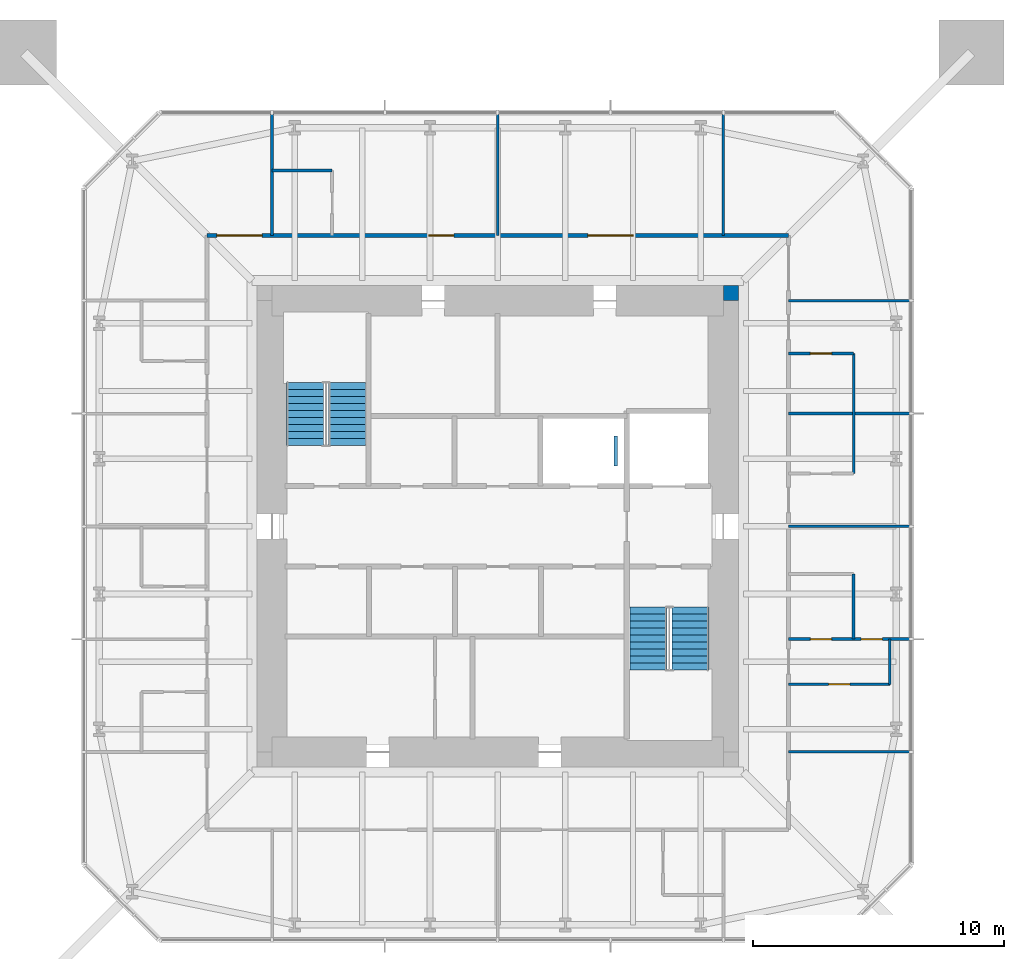
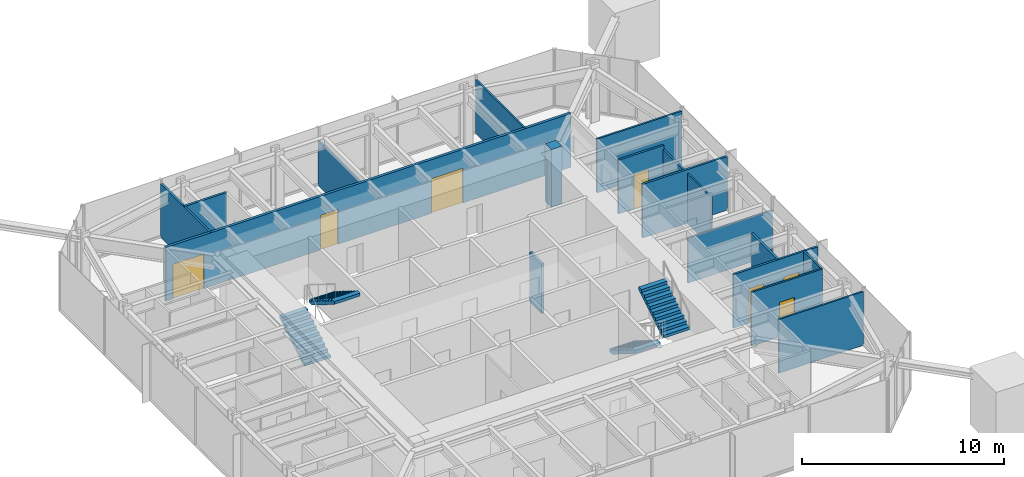
# One storey, part 8 of 9: 16 walls, 7 doors, 4 stair flights, 1 discrete accessory, 7 openings, 2 elements without a shape of their own.
"""IFC4 building model written with IfcOpenShell, lengths in metres."""

from ifc_helpers import new_model, si_unit, direction, frame, frame_2d, origin, origin_2d, place, context, subcontext, project, spatial, polyline, rectangle, outline, extrude, material, layer, layer_set, constituent, constituent_set, type_object, element, fill, aggregate, save


model = new_model("IFC4")

# Units and contexts
model_context = context("Model", 3, precision=1e-05, world=origin(), true_north=direction((0.0, 1.0)))
body_context = subcontext(model_context, "Body", "Model", "MODEL_VIEW")
ifc_project = project(units=[si_unit("LENGTHUNIT", "METRE"), si_unit("AREAUNIT", "SQUARE_METRE"), si_unit("VOLUMEUNIT", "CUBIC_METRE"), si_unit("PLANEANGLEUNIT", "RADIAN"), si_unit("MASSUNIT", "GRAM", prefix="KILO")], contexts=[model_context])

# Site, building, storey
site_placement = place(None, origin())
site = spatial("IfcSite", under=ifc_project, at=site_placement, CompositionType="ELEMENT")
building_placement = place(site_placement, origin())
building = spatial("IfcBuilding", under=site, at=building_placement, Name="Iwan Alto Co-Living Towers", CompositionType="ELEMENT")
storey_placement = place(building_placement, frame((0.0, 0.0, 264.0)))
storey = spatial("IfcBuildingStorey", under=building, at=storey_placement, Name="L72", CompositionType="ELEMENT", Elevation=264.0)

# Wall, openings, doors
ifc_material_1 = material(Name="Gypsum board")
ifc_layer_1 = layer(ifc_material_1, 0.02490234375, Name="Board", Category="Finish")
ifc_material_2 = material(Name="Steel ASTM A1003 ST33H cold-formed studs", Category="steel")
ifc_layer_2 = layer(ifc_material_2, 0.10009765625, Name="Studs", Category="Framing")
ifc_layer_3 = layer(ifc_material_1, 0.02490234375, Name="Board", Category="Finish")
ifc_layer_set_1 = layer_set([ifc_layer_1, ifc_layer_2, ifc_layer_3], Name="CORRIDOR WALL 150")
wall_type_1 = type_object("IfcWallType", Name="CORRIDOR WALL 150", PredefinedType="PARTITIONING", material=ifc_layer_set_1)
wall_1_placement = place(storey_placement, frame((-11.60009765625, 11.60009765625, 0.0), z_axis=(0.0, 0.0, 1.0), x_axis=(1.0, 0.0, 0.0)))
wall_1 = element("IfcWall", 1, at=wall_1_placement, inside=storey, type_object=wall_type_1, Name="Partition L72", PredefinedType="PARTITIONING", context=body_context, shape_type="SweptSolid", body=[
    extrude(rectangle(XDim=23.2001953125, YDim=0.14990234375, at=frame_2d((11.60009765625, 0.0))), origin(), (0.0, 0.0, 1.0), 3.25),
])
opening_1_placement = place(wall_1_placement, frame((15.199951171875, 0.0, 0.0)))
opening_1 = element("IfcOpeningElement", 2, at=opening_1_placement, cuts=wall_1, Name="Opening D9", PredefinedType="OPENING", context=body_context, shape_type="SweptSolid", body=[
    extrude(rectangle(XDim=1.800048828125, YDim=2.10009765625, at=frame_2d((0.89990234375, 1.050048828125))), frame((0.0, 0.0849609375, 0.0), z_axis=(0.0, -1.0, 0.0), x_axis=(1.0, 0.0, 0.0)), (0.0, 0.0, 1.0), 0.169921875),
])
opening_2_placement = place(wall_1_placement, frame((8.85009765625, 0.0, 0.0)))
opening_2 = element("IfcOpeningElement", 3, at=opening_2_placement, cuts=wall_1, Name="Opening D3", PredefinedType="OPENING", context=body_context, shape_type="SweptSolid", body=[
    extrude(rectangle(XDim=1.0, YDim=2.10009765625, at=frame_2d((0.5, 1.050048828125))), frame((0.0, 0.0849609375, 0.0), z_axis=(0.0, -1.0, 0.0), x_axis=(1.0, 0.0, 0.0)), (0.0, 0.0, 1.0), 0.169921875),
])
opening_3_placement = place(wall_1_placement, frame((0.39990234375, 0.0, 0.0)))
opening_3 = element("IfcOpeningElement", 4, at=opening_3_placement, cuts=wall_1, Name="Opening D9", PredefinedType="OPENING", context=body_context, shape_type="SweptSolid", body=[
    extrude(rectangle(XDim=1.800048828125, YDim=2.10009765625, at=frame_2d((0.89990234375, 1.050048828125))), frame((0.0, 0.0849609375, 0.0), z_axis=(0.0, -1.0, 0.0), x_axis=(1.0, 0.0, 0.0)), (0.0, 0.0, 1.0), 0.169921875),
])
ifc_material_3 = material(Name="Steel frame with timber leaf", Category="steel")
door_type_1 = type_object("IfcDoorType", Name="FLAT ENTRANCE DOOR FD30S 1000X2100", OperationType="SINGLE_SWING_LEFT", PredefinedType="DOOR", material=ifc_material_3)
door_1_placement = place(opening_2_placement, origin())
door_1 = element("IfcDoor", 5, at=door_1_placement, inside=storey, type_object=door_type_1, Name="Studio door L72", OperationType="SINGLE_SWING_RIGHT", OverallHeight=2.10009765625, OverallWidth=1.0, PredefinedType="DOOR", context=body_context, shape_type="SweptSolid", body=[
    extrude(rectangle(XDim=1.0, YDim=2.10009765625, at=frame_2d((0.5, 1.050048828125))), frame((0.0, 0.02490234375, 0.0), z_axis=(0.0, -1.0, 0.0), x_axis=(1.0, 0.0, 0.0)), (0.0, 0.0, 1.0), 0.050048828125),
])
fill(opening_2, door_1)
ifc_material_4 = material(Name="Steel frame with timber leaf", Category="steel")
door_type_2 = type_object("IfcDoorType", Name="LOUNGE DOOR FD30S 1800X2100", OperationType="DOUBLE_DOOR_SINGLE_SWING", PredefinedType="DOOR", material=ifc_material_4)
door_2_placement = place(opening_1_placement, origin())
door_2 = element("IfcDoor", 6, at=door_2_placement, inside=storey, type_object=door_type_2, Name="Club library door L72", OperationType="DOUBLE_DOOR_SINGLE_SWING", OverallHeight=2.10009765625, OverallWidth=1.800048828125, PredefinedType="DOOR", context=body_context, shape_type="SweptSolid", body=[
    extrude(rectangle(XDim=1.800048828125, YDim=2.10009765625, at=frame_2d((0.89990234375, 1.050048828125))), frame((0.0, 0.02490234375, 0.0), z_axis=(0.0, -1.0, 0.0), x_axis=(1.0, 0.0, 0.0)), (0.0, 0.0, 1.0), 0.050048828125),
])
fill(opening_1, door_2)
door_3_placement = place(opening_3_placement, origin())
door_3 = element("IfcDoor", 7, at=door_3_placement, inside=storey, type_object=door_type_2, Name="Courtyard lounge door L72", OperationType="DOUBLE_DOOR_SINGLE_SWING", OverallHeight=2.10009765625, OverallWidth=1.800048828125, PredefinedType="DOOR", context=body_context, shape_type="SweptSolid", body=[
    extrude(rectangle(XDim=1.800048828125, YDim=2.10009765625, at=frame_2d((0.89990234375, 1.050048828125))), frame((0.0, 0.02490234375, 0.0), z_axis=(0.0, -1.0, 0.0), x_axis=(1.0, 0.0, 0.0)), (0.0, 0.0, 1.0), 0.050048828125),
])
fill(opening_3, door_3)

# Wall
ifc_layer_4 = layer(ifc_material_1, 0.012451171875, Name="Board", Category="Finish")
ifc_layer_5 = layer(ifc_material_2, 0.074951171875, Name="Studs", Category="Framing")
ifc_layer_6 = layer(ifc_material_1, 0.012451171875, Name="Board", Category="Finish")
ifc_layer_set_2 = layer_set([ifc_layer_4, ifc_layer_5, ifc_layer_6], Name="PARTITION 100")
wall_type_2 = type_object("IfcWallType", Name="PARTITION 100", PredefinedType="PARTITIONING", material=ifc_layer_set_2)
wall_2_placement = place(storey_placement, frame((11.60009765625, -9.0, 0.0), z_axis=(0.0, 0.0, 1.0), x_axis=(1.0, 0.0, 0.0)))
element("IfcWall", 8, at=wall_2_placement, inside=storey, type_object=wall_type_2, Name="Partition L72", PredefinedType="PARTITIONING", context=body_context, shape_type="SweptSolid", body=[
    extrude(rectangle(XDim=4.83984375, YDim=0.10009765625, at=frame_2d((2.419921875, 0.0))), origin(), (0.0, 0.0, 1.0), 3.25),
])

# Wall, opening, door
wall_3_placement = place(storey_placement, frame((11.60009765625, -6.300048828125, 0.0), z_axis=(0.0, 0.0, 1.0), x_axis=(1.0, 0.0, 0.0)))
wall_3 = element("IfcWall", 9, at=wall_3_placement, inside=storey, type_object=wall_type_2, Name="Partition L72", PredefinedType="PARTITIONING", context=body_context, shape_type="SweptSolid", body=[
    extrude(rectangle(XDim=4.0498046875, YDim=0.10009765625, at=frame_2d((2.02490234375, 0.0))), origin(), (0.0, 0.0, 1.0), 3.25),
])
opening_4_placement = place(wall_3_placement, frame((1.60009765625, 0.0, 0.0)))
opening_4 = element("IfcOpeningElement", 10, at=opening_4_placement, cuts=wall_3, Name="Opening D2", PredefinedType="OPENING", context=body_context, shape_type="SweptSolid", body=[
    extrude(rectangle(XDim=0.85009765625, YDim=2.10009765625, at=frame_2d((0.425048828125, 1.050048828125))), frame((0.0, 0.06005859375, 0.0), z_axis=(0.0, -1.0, 0.0), x_axis=(1.0, 0.0, 0.0)), (0.0, 0.0, 1.0), 0.1201171875),
])
ifc_material_5 = material(Name="Timber leaf in steel frame", Category="steel")
door_type_3 = type_object("IfcDoorType", Name="ROOM DOOR 850X2100", OperationType="SINGLE_SWING_LEFT", PredefinedType="DOOR", material=ifc_material_5)
door_4_placement = place(opening_4_placement, frame((0.85009765625, 0.0, 0.0), z_axis=(0.0, 0.0, 1.0), x_axis=(-1.0, 0.0, 0.0)))
door_4 = element("IfcDoor", 11, at=door_4_placement, inside=storey, type_object=door_type_3, Name="Apartment foyer door L72", OperationType="SINGLE_SWING_RIGHT", OverallHeight=2.10009765625, OverallWidth=0.85009765625, PredefinedType="DOOR", context=body_context, shape_type="SweptSolid", body=[
    extrude(rectangle(XDim=0.85009765625, YDim=2.10009765625, at=frame_2d((0.425048828125, 1.050048828125))), frame((0.0, 0.02490234375, 0.0), z_axis=(0.0, -1.0, 0.0), x_axis=(1.0, 0.0, 0.0)), (0.0, 0.0, 1.0), 0.050048828125),
])
fill(opening_4, door_4)

# Walls
wall_4_placement = place(storey_placement, frame((11.60009765625, 0.0, 0.0), z_axis=(0.0, 0.0, 1.0), x_axis=(1.0, 0.0, 0.0)))
element("IfcWall", 12, at=wall_4_placement, inside=storey, type_object=wall_type_2, Name="Partition L72", PredefinedType="PARTITIONING", context=body_context, shape_type="SweptSolid", body=[
    extrude(rectangle(XDim=4.83984375, YDim=0.10009765625, at=frame_2d((2.419921875, 0.0))), origin(), (0.0, 0.0, 1.0), 2.716552734375),
])
wall_5_placement = place(storey_placement, frame((11.60009765625, 9.0, 0.0), z_axis=(0.0, 0.0, 1.0), x_axis=(1.0, 0.0, 0.0)))
element("IfcWall", 13, at=wall_5_placement, inside=storey, type_object=wall_type_2, Name="Partition L72", PredefinedType="PARTITIONING", context=body_context, shape_type="SweptSolid", body=[
    extrude(rectangle(XDim=4.83984375, YDim=0.10009765625, at=frame_2d((2.419921875, 0.0))), origin(), (0.0, 0.0, 1.0), 3.25),
])
wall_6_placement = place(storey_placement, frame((15.64990234375, -6.300048828125, 0.0), z_axis=(0.0, 0.0, 1.0), x_axis=(0.0, 1.0, 0.0)))
element("IfcWall", 14, at=wall_6_placement, inside=storey, type_object=wall_type_2, Name="Partition L72", PredefinedType="PARTITIONING", context=body_context, shape_type="SweptSolid", body=[
    extrude(rectangle(XDim=1.800048828125, YDim=0.10009765625, at=frame_2d((0.89990234375, 0.0))), origin(), (0.0, 0.0, 1.0), 3.25),
])
wall_7_placement = place(storey_placement, frame((14.199951171875, 2.10009765625, 0.0), z_axis=(0.0, 0.0, 1.0), x_axis=(0.0, 1.0, 0.0)))
element("IfcWall", 15, at=wall_7_placement, inside=storey, type_object=wall_type_2, Name="Partition L72", PredefinedType="PARTITIONING", context=body_context, shape_type="SweptSolid", body=[
    extrude(rectangle(XDim=4.7998046875, YDim=0.10009765625, at=frame_2d((2.39990234375, 0.0))), origin(), (0.0, 0.0, 1.0), 3.0),
])
wall_8_placement = place(storey_placement, frame((9.0, 11.60009765625, 0.0), z_axis=(0.0, 0.0, 1.0), x_axis=(0.0, 1.0, 0.0)))
element("IfcWall", 16, at=wall_8_placement, inside=storey, type_object=wall_type_2, Name="Partition L72", PredefinedType="PARTITIONING", context=body_context, shape_type="SweptSolid", body=[
    extrude(rectangle(XDim=4.83984375, YDim=0.10009765625, at=frame_2d((2.419921875, 0.0))), origin(), (0.0, 0.0, 1.0), 3.25),
])
wall_9_placement = place(storey_placement, frame((0.0, 11.60009765625, 0.0), z_axis=(0.0, 0.0, 1.0), x_axis=(0.0, 1.0, 0.0)))
element("IfcWall", 17, at=wall_9_placement, inside=storey, type_object=wall_type_2, Name="Partition L72", PredefinedType="PARTITIONING", context=body_context, shape_type="SweptSolid", body=[
    extrude(rectangle(XDim=4.83984375, YDim=0.10009765625, at=frame_2d((2.419921875, 0.0))), origin(), (0.0, 0.0, 1.0), 2.716552734375),
])
ifc_material_6 = material(Name="Concrete f'c 70 MPa", Category="concrete")
ifc_layer_7 = layer(ifc_material_6, 0.60009765625)
ifc_layer_set_3 = layer_set([ifc_layer_7], Name="T1 CORE CORNER FILL 600")
wall_type_3 = type_object("IfcWallType", Name="T1 CORE CORNER FILL 600", PredefinedType="SOLIDWALL", material=ifc_layer_set_3)
wall_10_placement = place(storey_placement, frame((9.0, 9.300048828125, 0.0), z_axis=(0.0, 0.0, 1.0), x_axis=(1.0, 0.0, 0.0)))
element("IfcWall", 18, at=wall_10_placement, inside=storey, type_object=wall_type_3, Name="T1 core corner NE L72", PredefinedType="SOLIDWALL", context=body_context, shape_type="SweptSolid", body=[
    extrude(rectangle(XDim=0.60009765625, YDim=0.60009765625, at=frame_2d((0.300048828125, 0.0))), origin(), (0.0, 0.0, 1.0), 3.5),
])

# Wall, openings, doors
ifc_material_7 = material(Name="Cement board")
ifc_layer_8 = layer(ifc_material_7, 0.012451171875, Name="Board", Category="Finish")
ifc_layer_9 = layer(ifc_material_2, 0.094970703125, Name="Studs", Category="Framing")
ifc_layer_10 = layer(ifc_material_7, 0.012451171875, Name="Board", Category="Finish")
ifc_layer_set_4 = layer_set([ifc_layer_8, ifc_layer_9, ifc_layer_10], Name="WET AREA PARTITION 120")
wall_type_4 = type_object("IfcWallType", Name="WET AREA PARTITION 120", PredefinedType="PARTITIONING", material=ifc_layer_set_4)
wall_11_placement = place(storey_placement, frame((11.60009765625, -4.5, 0.0), z_axis=(0.0, 0.0, 1.0), x_axis=(1.0, 0.0, 0.0)))
wall_11 = element("IfcWall", 19, at=wall_11_placement, inside=storey, type_object=wall_type_4, Name="Partition L72", PredefinedType="PARTITIONING", context=body_context, shape_type="SweptSolid", body=[
    extrude(rectangle(XDim=4.83984375, YDim=0.1201171875, at=frame_2d((2.419921875, 0.0))), origin(), (0.0, 0.0, 1.0), 3.25),
])
opening_5_placement = place(wall_11_placement, frame((2.89990234375, 0.0, 0.0)))
opening_5 = element("IfcOpeningElement", 20, at=opening_5_placement, cuts=wall_11, Name="Opening D2", PredefinedType="OPENING", context=body_context, shape_type="SweptSolid", body=[
    extrude(rectangle(XDim=0.85009765625, YDim=2.10009765625, at=frame_2d((0.425048828125, 1.050048828125))), frame((0.0, 0.070068359375, 0.0), z_axis=(0.0, -1.0, 0.0), x_axis=(1.0, 0.0, 0.0)), (0.0, 0.0, 1.0), 0.14013671875),
])
opening_6_placement = place(wall_11_placement, frame((0.875, 0.0, 0.0)))
opening_6 = element("IfcOpeningElement", 21, at=opening_6_placement, cuts=wall_11, Name="Opening D2", PredefinedType="OPENING", context=body_context, shape_type="SweptSolid", body=[
    extrude(rectangle(XDim=0.85009765625, YDim=2.10009765625, at=frame_2d((0.425048828125, 1.050048828125))), frame((0.0, 0.070068359375, 0.0), z_axis=(0.0, -1.0, 0.0), x_axis=(1.0, 0.0, 0.0)), (0.0, 0.0, 1.0), 0.14013671875),
])
door_5_placement = place(opening_5_placement, origin())
door_5 = element("IfcDoor", 22, at=door_5_placement, inside=storey, type_object=door_type_3, Name="Bedroom door L72", OperationType="SINGLE_SWING_LEFT", OverallHeight=2.10009765625, OverallWidth=0.85009765625, PredefinedType="DOOR", context=body_context, shape_type="SweptSolid", body=[
    extrude(rectangle(XDim=0.85009765625, YDim=2.10009765625, at=frame_2d((0.425048828125, 1.050048828125))), frame((0.0, 0.02490234375, 0.0), z_axis=(0.0, -1.0, 0.0), x_axis=(1.0, 0.0, 0.0)), (0.0, 0.0, 1.0), 0.050048828125),
])
fill(opening_5, door_5)
door_6_placement = place(opening_6_placement, origin())
door_6 = element("IfcDoor", 23, at=door_6_placement, inside=storey, type_object=door_type_3, Name="Accessible bathroom door L72", OperationType="SINGLE_SWING_LEFT", OverallHeight=2.10009765625, OverallWidth=0.85009765625, PredefinedType="DOOR", context=body_context, shape_type="SweptSolid", body=[
    extrude(rectangle(XDim=0.85009765625, YDim=2.10009765625, at=frame_2d((0.425048828125, 1.050048828125))), frame((0.0, 0.02490234375, 0.0), z_axis=(0.0, -1.0, 0.0), x_axis=(1.0, 0.0, 0.0)), (0.0, 0.0, 1.0), 0.050048828125),
])
fill(opening_6, door_6)

# Wall
wall_12_placement = place(storey_placement, frame((11.60009765625, 4.5, 0.0), z_axis=(0.0, 0.0, 1.0), x_axis=(1.0, 0.0, 0.0)))
element("IfcWall", 24, at=wall_12_placement, inside=storey, type_object=wall_type_4, Name="Partition L72", PredefinedType="PARTITIONING", context=body_context, shape_type="SweptSolid", body=[
    extrude(rectangle(XDim=4.83984375, YDim=0.1201171875, at=frame_2d((2.419921875, 0.0))), origin(), (0.0, 0.0, 1.0), 3.25),
])

# Wall, opening, door
wall_13_placement = place(storey_placement, frame((11.60009765625, 6.89990234375, 0.0), z_axis=(0.0, 0.0, 1.0), x_axis=(1.0, 0.0, 0.0)))
wall_13 = element("IfcWall", 25, at=wall_13_placement, inside=storey, type_object=wall_type_4, Name="Partition L72", PredefinedType="PARTITIONING", context=body_context, shape_type="SweptSolid", body=[
    extrude(rectangle(XDim=2.599853515625, YDim=0.1201171875, at=frame_2d((1.2998046875, 0.0))), origin(), (0.0, 0.0, 1.0), 3.25),
])
opening_7_placement = place(wall_13_placement, frame((0.875, 0.0, 0.0)))
opening_7 = element("IfcOpeningElement", 26, at=opening_7_placement, cuts=wall_13, Name="Opening D2", PredefinedType="OPENING", context=body_context, shape_type="SweptSolid", body=[
    extrude(rectangle(XDim=0.85009765625, YDim=2.10009765625, at=frame_2d((0.425048828125, 1.050048828125))), frame((0.0, 0.070068359375, 0.0), z_axis=(0.0, -1.0, 0.0), x_axis=(1.0, 0.0, 0.0)), (0.0, 0.0, 1.0), 0.14013671875),
])
door_7_placement = place(opening_7_placement, origin())
door_7 = element("IfcDoor", 27, at=door_7_placement, inside=storey, type_object=door_type_3, Name="En-suite shower room door L72", OperationType="SINGLE_SWING_LEFT", OverallHeight=2.10009765625, OverallWidth=0.85009765625, PredefinedType="DOOR", context=body_context, shape_type="SweptSolid", body=[
    extrude(rectangle(XDim=0.85009765625, YDim=2.10009765625, at=frame_2d((0.425048828125, 1.050048828125))), frame((0.0, 0.02490234375, 0.0), z_axis=(0.0, -1.0, 0.0), x_axis=(1.0, 0.0, 0.0)), (0.0, 0.0, 1.0), 0.050048828125),
])
fill(opening_7, door_7)

# Walls
wall_14_placement = place(storey_placement, frame((-9.0, 14.199951171875, 0.0), z_axis=(0.0, 0.0, 1.0), x_axis=(1.0, 0.0, 0.0)))
element("IfcWall", 28, at=wall_14_placement, inside=storey, type_object=wall_type_4, Name="Partition L72", PredefinedType="PARTITIONING", context=body_context, shape_type="SweptSolid", body=[
    extrude(rectangle(XDim=2.39990234375, YDim=0.1201171875, at=frame_2d((1.199951171875, 0.0))), origin(), (0.0, 0.0, 1.0), 3.25),
])
wall_15_placement = place(storey_placement, frame((14.199951171875, -4.5, 0.0), z_axis=(0.0, 0.0, 1.0), x_axis=(0.0, 1.0, 0.0)))
element("IfcWall", 29, at=wall_15_placement, inside=storey, type_object=wall_type_4, Name="Partition L72", PredefinedType="PARTITIONING", context=body_context, shape_type="SweptSolid", body=[
    extrude(rectangle(XDim=2.60009765625, YDim=0.1201171875, at=frame_2d((1.300048828125, 0.0))), origin(), (0.0, 0.0, 1.0), 3.25),
])
wall_16_placement = place(storey_placement, frame((-9.0, 11.60009765625, 0.0), z_axis=(0.0, 0.0, 1.0), x_axis=(0.0, 1.0, 0.0)))
element("IfcWall", 30, at=wall_16_placement, inside=storey, type_object=wall_type_4, Name="Partition L72", PredefinedType="PARTITIONING", context=body_context, shape_type="SweptSolid", body=[
    extrude(rectangle(XDim=4.83984375, YDim=0.1201171875, at=frame_2d((2.419921875, 0.0))), origin(), (0.0, 0.0, 1.0), 3.25),
])

# Stair, stair flights
ifc_material_8 = material(Name="Steel ASTM A36", Category="steel")
ifc_constituent_1 = constituent(ifc_material_8, Name="Stringers", Category="LoadBearing")
ifc_material_9 = material(Name="Concrete f'c 30 MPa", Category="concrete")
ifc_constituent_2 = constituent(ifc_material_9, Name="Tread fill", Category="Finish")
ifc_constituent_set_1 = constituent_set(constituents=[ifc_constituent_1, ifc_constituent_2], Name="STAIR 3500 TWO-FLIGHT T1 CORE")
stair_type = type_object("IfcStairType", Name="STAIR 3500 TWO-FLIGHT T1 CORE", PredefinedType="HALF_TURN_STAIR", material=ifc_constituent_set_1)
stair_1_placement = place(storey_placement, origin())
stair_1 = element("IfcStair", 31, at=stair_1_placement, inside=storey, type_object=stair_type, Name="Stair T1-S1 L72 to RF", PredefinedType="HALF_TURN_STAIR")
ifc_constituent_3 = constituent(ifc_material_8, Name="Stringers", Category="LoadBearing")
ifc_constituent_4 = constituent(ifc_material_9, Name="Tread fill", Category="Finish")
ifc_constituent_set_2 = constituent_set(constituents=[ifc_constituent_3, ifc_constituent_4], Name="STAIR FLIGHT 10 RISERS 280 GOING")
stair_flight_type = type_object("IfcStairFlightType", Name="STAIR FLIGHT 10 RISERS 280 GOING", PredefinedType="STRAIGHT", material=ifc_constituent_set_2)
stair_flight_1_placement = place(storey_placement, frame((-7.68994140625, 3.219970703125, 0.0), z_axis=(0.0, 0.0, 1.0), x_axis=(0.0, 1.0, 0.0)))
stair_flight_1 = element("IfcStairFlight", 32, at=stair_flight_1_placement, type_object=stair_flight_type, Name="T1-S1 flight 1", NumberOfRisers=10, NumberOfTreads=9, PredefinedType="STRAIGHT", RiserHeight=0.175, TreadLength=0.28, context=body_context, shape_type="SweptSolid", body=[
    extrude(outline(polyline([(0.0, 0.0), (0.0, 0.175048828125), (0.280029296875, 0.175048828125), (0.280029296875, 0.35009765625), (0.56005859375, 0.35009765625), (0.56005859375, 0.52490234375), (0.840087890625, 0.52490234375), (0.840087890625, 0.699951171875), (1.1201171875, 0.699951171875), (1.1201171875, 0.875), (1.39990234375, 0.875), (1.39990234375, 1.050048828125), (1.679931640625, 1.050048828125), (1.679931640625, 1.22509765625), (1.9599609375, 1.22509765625), (1.9599609375, 1.39990234375), (2.239990234375, 1.39990234375), (2.239990234375, 1.574951171875), (2.52001953125, 1.574951171875), (2.52001953125, 1.75), (2.52001953125, 1.398193359375), (0.28271484375, 0.0), (0.0, 0.0)])), frame((0.0, 0.739990234375, 0.0), z_axis=(0.0, -1.0, 0.0), x_axis=(1.0, 0.0, 0.0)), (0.0, 0.0, 1.0), 1.47998046875),
])
stair_flight_2_placement = place(storey_placement, frame((-6.010009765625, 5.739990234375, 1.75), z_axis=(0.0, 0.0, 1.0), x_axis=(0.0, -1.0, 0.0)))
stair_flight_2 = element("IfcStairFlight", 33, at=stair_flight_2_placement, type_object=stair_flight_type, Name="T1-S1 flight 2", NumberOfRisers=10, NumberOfTreads=9, PredefinedType="STRAIGHT", RiserHeight=0.175, TreadLength=0.28, context=body_context, shape_type="SweptSolid", body=[
    extrude(outline(polyline([(0.0, 0.0), (0.0, 0.175048828125), (0.280029296875, 0.175048828125), (0.280029296875, 0.35009765625), (0.56005859375, 0.35009765625), (0.56005859375, 0.52490234375), (0.840087890625, 0.52490234375), (0.840087890625, 0.699951171875), (1.1201171875, 0.699951171875), (1.1201171875, 0.875), (1.39990234375, 0.875), (1.39990234375, 1.050048828125), (1.679931640625, 1.050048828125), (1.679931640625, 1.22509765625), (1.9599609375, 1.22509765625), (1.9599609375, 1.39990234375), (2.239990234375, 1.39990234375), (2.239990234375, 1.574951171875), (2.52001953125, 1.574951171875), (2.52001953125, 1.75), (2.52001953125, 1.398193359375), (0.28271484375, 0.0), (0.0, 0.0)])), frame((0.0, 0.739990234375, 0.0), z_axis=(0.0, -1.0, 0.0), x_axis=(1.0, 0.0, 0.0)), (0.0, 0.0, 1.0), 1.47998046875),
])
aggregate(stair_1, [stair_flight_1, stair_flight_2])

stair_2_placement = place(storey_placement, origin())
stair_2 = element("IfcStair", 34, at=stair_2_placement, inside=storey, type_object=stair_type, Name="Stair T1-S2 L72 to RF", PredefinedType="HALF_TURN_STAIR")
stair_flight_3_placement = place(storey_placement, frame((6.010009765625, -3.219970703125, 0.0), z_axis=(0.0, 0.0, 1.0), x_axis=(0.0, -1.0, 0.0)))
stair_flight_3 = element("IfcStairFlight", 35, at=stair_flight_3_placement, type_object=stair_flight_type, Name="T1-S2 flight 1", NumberOfRisers=10, NumberOfTreads=9, PredefinedType="STRAIGHT", RiserHeight=0.175, TreadLength=0.28, context=body_context, shape_type="SweptSolid", body=[
    extrude(outline(polyline([(0.0, 0.0), (0.0, 0.175048828125), (0.280029296875, 0.175048828125), (0.280029296875, 0.35009765625), (0.56005859375, 0.35009765625), (0.56005859375, 0.52490234375), (0.840087890625, 0.52490234375), (0.840087890625, 0.699951171875), (1.1201171875, 0.699951171875), (1.1201171875, 0.875), (1.39990234375, 0.875), (1.39990234375, 1.050048828125), (1.679931640625, 1.050048828125), (1.679931640625, 1.22509765625), (1.9599609375, 1.22509765625), (1.9599609375, 1.39990234375), (2.239990234375, 1.39990234375), (2.239990234375, 1.574951171875), (2.52001953125, 1.574951171875), (2.52001953125, 1.75), (2.52001953125, 1.398193359375), (0.28271484375, 0.0), (0.0, 0.0)])), frame((0.0, 0.739990234375, 0.0), z_axis=(0.0, -1.0, 0.0), x_axis=(1.0, 0.0, 0.0)), (0.0, 0.0, 1.0), 1.47998046875),
])
stair_flight_4_placement = place(storey_placement, frame((7.68994140625, -5.739990234375, 1.75), z_axis=(0.0, 0.0, 1.0), x_axis=(0.0, 1.0, 0.0)))
stair_flight_4 = element("IfcStairFlight", 36, at=stair_flight_4_placement, type_object=stair_flight_type, Name="T1-S2 flight 2", NumberOfRisers=10, NumberOfTreads=9, PredefinedType="STRAIGHT", RiserHeight=0.175, TreadLength=0.28, context=body_context, shape_type="SweptSolid", body=[
    extrude(outline(polyline([(0.0, 0.0), (0.0, 0.175048828125), (0.280029296875, 0.175048828125), (0.280029296875, 0.35009765625), (0.56005859375, 0.35009765625), (0.56005859375, 0.52490234375), (0.840087890625, 0.52490234375), (0.840087890625, 0.699951171875), (1.1201171875, 0.699951171875), (1.1201171875, 0.875), (1.39990234375, 0.875), (1.39990234375, 1.050048828125), (1.679931640625, 1.050048828125), (1.679931640625, 1.22509765625), (1.9599609375, 1.22509765625), (1.9599609375, 1.39990234375), (2.239990234375, 1.39990234375), (2.239990234375, 1.574951171875), (2.52001953125, 1.574951171875), (2.52001953125, 1.75), (2.52001953125, 1.398193359375), (0.28271484375, 0.0), (0.0, 0.0)])), frame((0.0, 0.739990234375, 0.0), z_axis=(0.0, -1.0, 0.0), x_axis=(1.0, 0.0, 0.0)), (0.0, 0.0, 1.0), 1.47998046875),
])
aggregate(stair_2, [stair_flight_3, stair_flight_4])

# Discrete accessory
placement_1 = place(building_placement, origin())
placement_2 = place(placement_1, frame((3.43359375, 3.0, 0.0), z_axis=(0.0, 0.0, 1.0), x_axis=(1.0, 0.0, 0.0)))
discrete_accessory_placement = place(placement_2, origin())
element("IfcDiscreteAccessory", 37, at=discrete_accessory_placement, inside=storey, material=ifc_material_8, Name="Lift P4-3 counterweight", ObjectType="Lift counterweight", PredefinedType="USERDEFINED", context=body_context, shape_type="SweptSolid", body=[
    extrude(rectangle(XDim=0.15, YDim=1.2000000000000002, at=origin_2d()), frame((1.27490234375, 0.0, 263.10009765625)), (0.0, 0.0, 1.0), 3.0),
])

save(model, "model.ifc")
